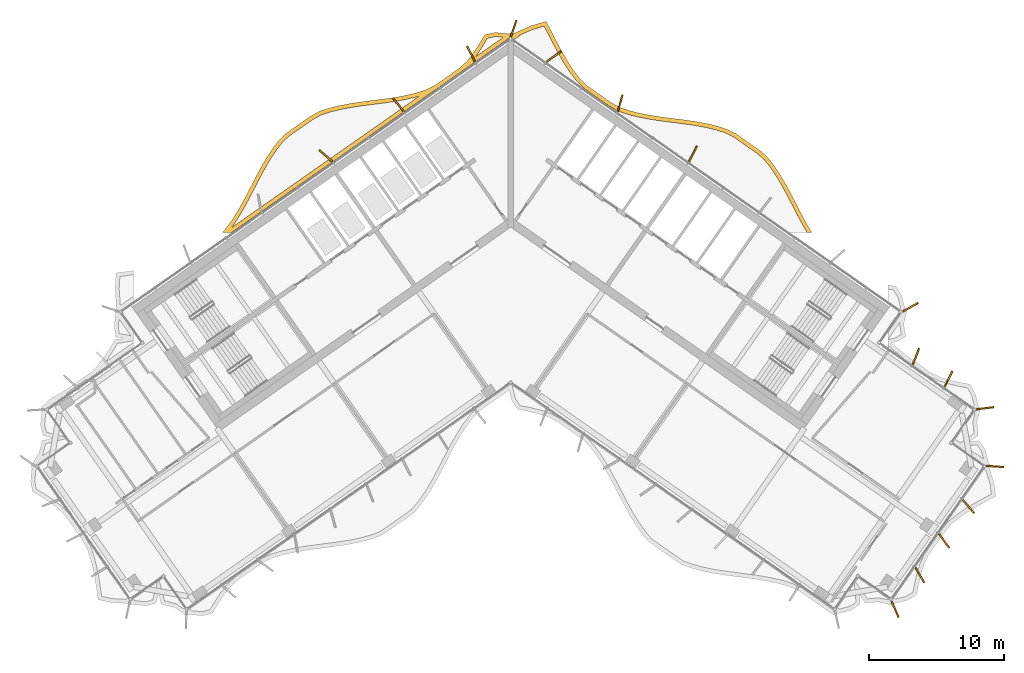
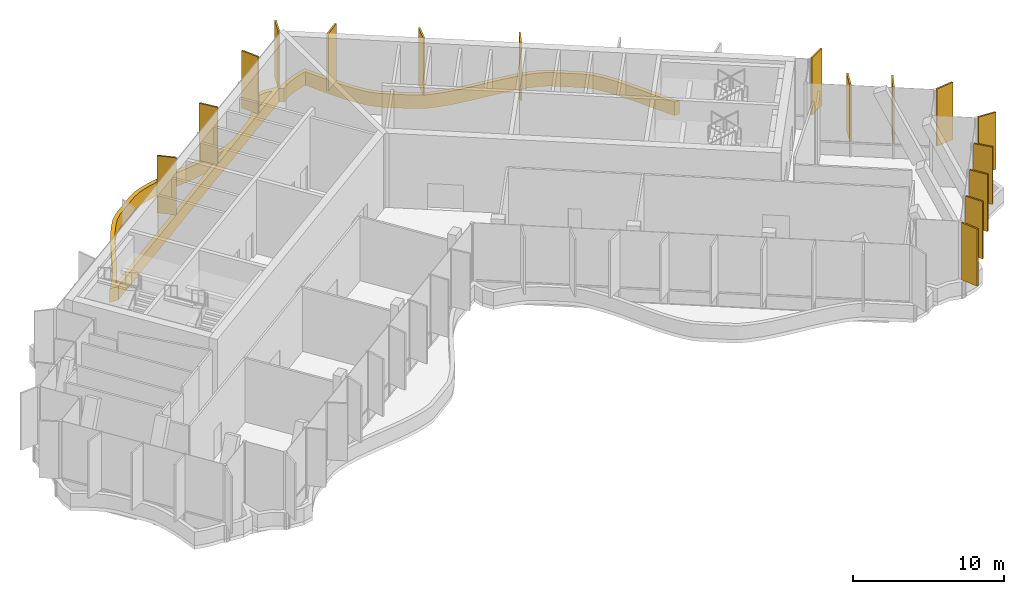
# One storey, part 21 of 22: 17 shading devices.
"""IFC4 building model written with IfcOpenShell, lengths in metres."""

from ifc_helpers import new_model, si_unit, direction, frame, origin, origin_2d, place, context, subcontext, project, spatial, polyline, rectangle, outline, extrude, material, layer, layer_set, type_object, element, save


model = new_model("IFC4")

# Units and contexts
model_context = context("Model", 3, precision=1e-05, world=origin(), true_north=direction((0.0, 1.0)))
body_context = subcontext(model_context, "Body", "Model", "MODEL_VIEW")
ifc_project = project(units=[si_unit("LENGTHUNIT", "METRE"), si_unit("AREAUNIT", "SQUARE_METRE"), si_unit("VOLUMEUNIT", "CUBIC_METRE"), si_unit("PLANEANGLEUNIT", "RADIAN"), si_unit("MASSUNIT", "GRAM", prefix="KILO")], contexts=[model_context])

# Site, building, storey
site_placement = place(None, origin())
site = spatial("IfcSite", under=ifc_project, at=site_placement, CompositionType="ELEMENT")
building_placement = place(site_placement, origin())
building = spatial("IfcBuilding", under=site, at=building_placement, Name="Tel Ilan Convention Tower", CompositionType="ELEMENT")
storey_placement = place(building_placement, frame((0.0, 0.0, 219.39990234375)))
storey = spatial("IfcBuildingStorey", under=building, at=storey_placement, Name="L51", CompositionType="ELEMENT", Elevation=219.39990234375)

# Shading devices
ifc_material_1 = material(Name="Aluminium, bronze anodised", Category="aluminium")
ifc_layer_1 = layer(ifc_material_1, 0.1201171875)
ifc_layer_set_1 = layer_set([ifc_layer_1], Name="FIN BRONZE 1300x120")
shading_device_type_1 = type_object("IfcShadingDeviceType", Name="FIN BRONZE 1300x120", PredefinedType="USERDEFINED", material=ifc_layer_set_1)
for number, where, z_axis, x_axis, name in (
    (1, (29.5439453125, -7.13623046875, 1.10009765625), (0.0, 0.0, 1.0), (0.870832754082, 0.491579408049, 0.0), "FIN"),
    (2, (13.45947265625, 4.188720703125, 1.10009765625), (0.0, 0.0, 1.0), (0.448799180206, 0.893632640321, 0.0), "FIN"),
    (3, (8.083251953125, 7.93017578125, 1.10009765625), (0.0, 0.0, 1.0), (0.268172612768, 0.963370878614, 0.0), "FIN"),
    (4, (3.172607421875, 11.36865234375, 1.10009765625), (0.0, 0.0, 1.0), (0.813552070258, 0.581492071294, 0.0), "FIN"),
    (5, (0.21630859375, 13.450439453125, 1.10009765625), (0.0, 0.0, 1.0), (0.332892691468, 0.942964716183, 0.0), "FIN"),
    (6, (-2.928955078125, 11.562255859375, 1.10009765625), (0.0, 0.0, 1.0), (-0.448799180206, 0.893632640321, 0.0), "FIN"),
    (7, (-8.29736328125, 7.8037109375, 1.10009765625), (0.0, 0.0, 1.0), (-0.612600545196, 0.790392669516, 0.0), "FIN"),
    (8, (-13.660888671875, 4.0400390625, 1.10009765625), (0.0, 0.0, 1.0), (-0.753435896329, 0.657521368568, 0.0), "FIN"),
    (9, (28.40234375, -29.46533203125, 1.10009765625), (0.0, 0.0, 1.0), (0.404964282034, -0.914332505315, 0.0), "FIN"),
    (10, (30.2314453125, -26.93603515625, 1.10009765625), (0.0, 0.0, 1.0), (0.5, -0.866025403784, 0.0), "FIN"),
    (11, (32.029296875, -24.400390625, 1.10009765625), (0.0, 0.0, 1.0), (0.581492071294, -0.813552070258, 0.0), "FIN"),
    (12, (33.823486328125, -21.859619140625, 1.10009765625), (0.0, 0.0, 1.0), (0.657521368568, -0.753435896329, 0.0), "FIN"),
    (13, (35.79638671875, -18.9052734375, 1.10009765625), (0.0, 0.0, 1.0), (0.997697449973, -0.067821812994, 0.0), "FIN"),
    (14, (35.044677734375, -14.603271484375, 1.10009765625), (0.0, 0.0, 1.0), (0.992066016082, 0.125718016748, 0.0), "FIN"),
    (15, (32.345703125, -12.45361328125, 1.10009765625), (0.0, 0.0, 1.0), (0.448799180206, 0.893632640321, 0.0), "FIN"),
    (16, (29.943115234375, -10.779052734375, 1.10009765625), (0.0, 0.0, 1.0), (0.360177724803, 0.932883704733, 0.0), "FIN"),
):
    element("IfcShadingDevice", number, at=place(storey_placement, frame(where, z_axis=z_axis, x_axis=x_axis)), inside=storey, type_object=shading_device_type_1, Name=name, ObjectType="FIN", PredefinedType="USERDEFINED", context=body_context, shape_type="SweptSolid", body=[
        extrude(rectangle(XDim=1.300048828125, YDim=0.1201171875, at=origin_2d()), origin(), (0.0, 0.0, 1.0), 4.6201171875),
    ])
ifc_material_2 = material(Name="Aluminium, bronze anodised", Category="aluminium")
ifc_layer_2 = layer(ifc_material_2, 0.300048828125)
ifc_layer_set_2 = layer_set([ifc_layer_2], Name="LOUVRE BAND 300x1100")
shading_device_type_2 = type_object("IfcShadingDeviceType", Name="LOUVRE BAND 300x1100", PredefinedType="USERDEFINED", material=ifc_layer_set_2)
shading_device_placement = place(storey_placement, origin())
element("IfcShadingDevice", 17, at=shading_device_placement, inside=storey, type_object=shading_device_type_2, Name="LOUVRE BAND 40.02", ObjectType="LOUVRE", PredefinedType="USERDEFINED", context=body_context, shape_type="SweptSolid", body=[
    extrude(outline(polyline([(-20.849609375, -1.0634765625), (-21.30126953125, -1.631591796875), (-20.63623046875, -1.631591796875), (0.0, 12.818115234375), (0.261474609375, 12.635009765625), (0.71044921875, 12.94921875), (0.651611328125, 12.94921875), (1.583984375, 13.365234375), (2.46484375, 13.628173828125), (3.115478515625, 12.37158203125), (3.5078125, 11.636474609375), (3.92041015625, 10.921630859375), (4.362548828125, 10.239501953125), (4.84716796875, 9.595947265625), (5.407958984375, 9.031494140625), (7.251220703125, 7.74072265625), (7.93212890625, 7.353759765625), (8.69921875, 7.09716796875), (9.48291015625, 6.89990234375), (10.2900390625, 6.745361328125), (11.112060546875, 6.621337890625), (12.762939453125, 6.408935546875), (13.572509765625, 6.29248046875), (14.3583984375, 6.15185546875), (15.11279296875, 5.97509765625), (15.819580078125, 5.75537109375), (16.44921875, 5.450927734375), (18.22607421875, 4.206787109375), (18.74951171875, 3.746826171875), (19.200927734375, 3.172607421875), (19.63037109375, 2.533447265625), (20.03515625, 1.850341796875), (20.423583984375, 1.13427734375), (21.186767578125, -0.3427734375), (21.5810546875, -1.075927734375), (21.906005859375, -1.631591796875), (22.25341796875, -1.631591796875), (21.8427734375, -0.928955078125), (21.4521484375, -0.202880859375), (20.688720703125, 1.27490234375), (20.296142578125, 1.998291015625), (19.884033203125, 2.69384765625), (19.44384765625, 3.34912109375), (18.96826171875, 3.9541015625), (18.41162109375, 4.443115234375), (16.6015625, 5.71044921875), (15.929931640625, 6.03515625), (15.191650390625, 6.2646484375), (14.419189453125, 6.44580078125), (13.6201171875, 6.588623046875), (12.80322265625, 6.7060546875), (11.15380859375, 6.91845703125), (10.340576171875, 7.041259765625), (9.547607421875, 7.19287109375), (8.783447265625, 7.385498046875), (8.054931640625, 7.62890625), (7.411865234375, 7.99462890625), (5.601806640625, 9.261962890625), (5.074462890625, 9.792724609375), (4.608642578125, 10.41162109375), (4.17626953125, 11.078369140625), (3.770263671875, 11.7822265625), (3.38134765625, 12.510986328125), (2.6162109375, 13.986328125), (1.4794921875, 13.647216796875), (0.168701171875, 13.059326171875), (0.11474609375, 13.09521484375), (0.0, 13.1181640625), (-0.11474609375, 13.09521484375), (-0.168701171875, 13.059326171875), (-1.14208984375, 13.1650390625), (-1.919921875, 12.991943359375), (-2.3310546875, 12.294921875), (-2.769287109375, 11.63671875), (-3.242431640625, 11.0283203125), (-3.7919921875, 10.529296875), (-5.601806640625, 9.261962890625), (-6.26611328125, 8.926513671875), (-7.002197265625, 8.693603515625), (-7.7724609375, 8.509765625), (-8.570068359375, 8.36474609375), (-9.385986328125, 8.24609375), (-11.03564453125, 8.033935546875), (-11.849853515625, 7.91259765625), (-12.644287109375, 7.76318359375), (-13.41064453125, 7.573486328125), (-14.141845703125, 7.33349609375), (-14.791748046875, 6.977783203125), (-16.6015625, 5.71044921875), (-17.136474609375, 5.1904296875), (-17.604736328125, 4.574951171875), (-18.0390625, 3.9111328125), (-18.44677734375, 3.209228515625), (-18.83642578125, 2.481689453125), (-19.60009765625, 1.004150390625), (-19.993408203125, 0.281982421875), (-20.4072265625, -0.4111328125), (-20.849609375, -1.0634765625)]), holes=[polyline([(-2.603271484375, 11.361572265625), (-2.525634765625, 11.46142578125), (-2.076904296875, 12.135498046875), (-1.727783203125, 12.727294921875), (-1.12451171875, 12.861572265625), (-0.547119140625, 12.80126953125), (-2.603271484375, 11.361572265625)]), polyline([(-20.614990234375, -1.25048828125), (-20.154052734375, -0.572265625), (-19.73291015625, 0.13330078125), (-19.335205078125, 0.86328125), (-18.57080078125, 2.342041015625), (-18.1845703125, 3.06298828125), (-17.78369140625, 3.75341796875), (-17.359619140625, 4.40185546875), (-16.911376953125, 4.99072265625), (-16.409912109375, 5.478515625), (-14.633056640625, 6.722412109375), (-14.02197265625, 7.05712890625), (-13.32763671875, 7.284912109375), (-12.58056640625, 7.4697265625), (-11.800048828125, 7.61669921875), (-10.994384765625, 7.73681640625), (-9.345458984375, 7.94873046875), (-8.521484375, 8.068603515625), (-7.710693359375, 8.216064453125), (-6.921875, 8.404296875), (-6.748046875, 8.459228515625), (-20.614990234375, -1.25048828125)])]), origin(), (0.0, 0.0, 1.0), 1.10009765625),
])

save(model, "model.ifc")
